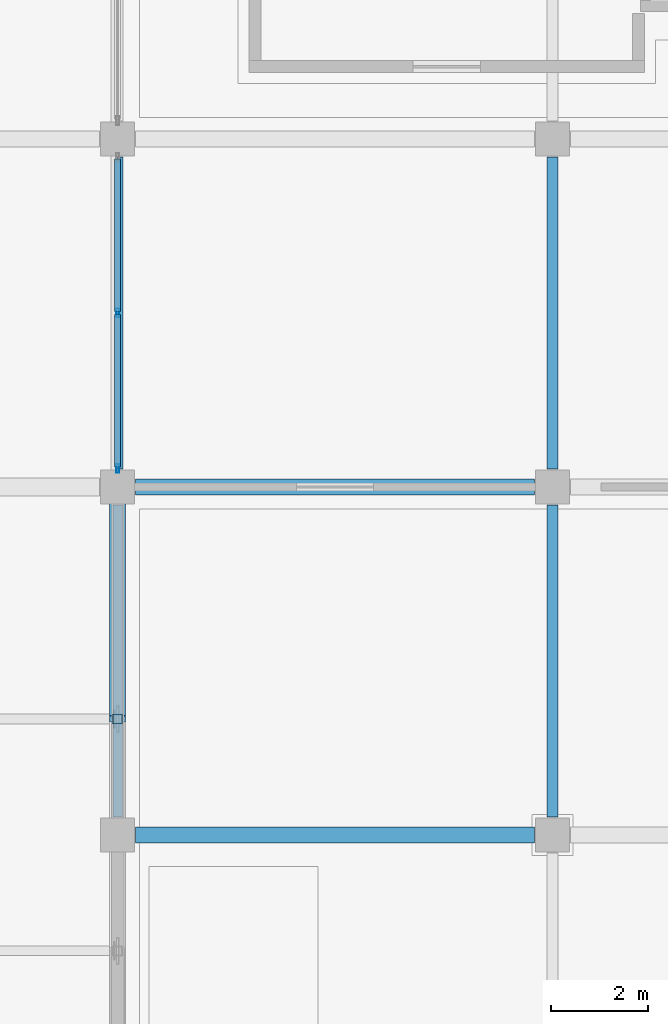
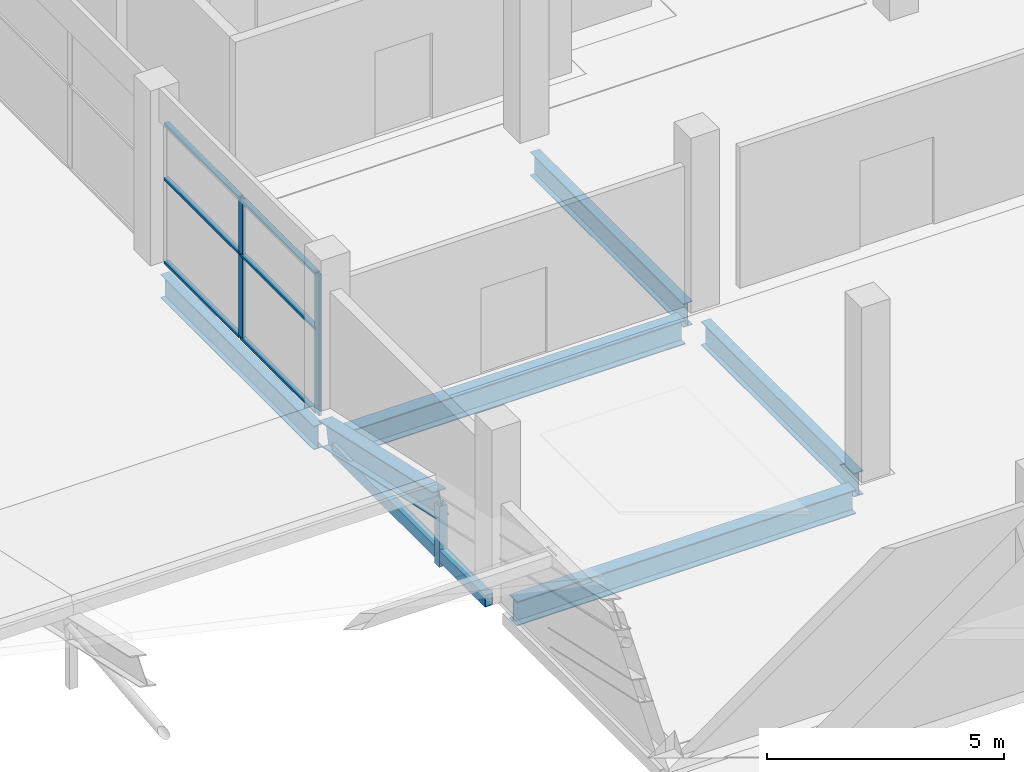
# One storey, part 67 of 151: 10 members, 6 beams, 1 element without a shape of its own.
"""IFC4 building model written with IfcOpenShell, lengths in metres."""

from ifc_helpers import new_model, si_unit, direction, frame, origin, origin_2d, place, context, subcontext, project, spatial, hollow_rectangle, i_section, extrude, material, layer, layer_set, material_profile, profile_set, type_object, element, aggregate, save


model = new_model("IFC4")

# Units and contexts
model_context = context("Model", 3, precision=1e-05, world=origin(), true_north=direction((0.0, 1.0)))
body_context = subcontext(model_context, "Body", "Model", "MODEL_VIEW")
ifc_project = project(units=[si_unit("LENGTHUNIT", "METRE"), si_unit("AREAUNIT", "SQUARE_METRE"), si_unit("VOLUMEUNIT", "CUBIC_METRE"), si_unit("PLANEANGLEUNIT", "RADIAN"), si_unit("MASSUNIT", "GRAM", prefix="KILO")], contexts=[model_context])

# Site, building, storey
site_placement = place(None, origin())
site = spatial("IfcSite", under=ifc_project, at=site_placement, CompositionType="ELEMENT")
building_placement = place(site_placement, origin())
building = spatial("IfcBuilding", under=site, at=building_placement, Name="Celestram Park Convention Centre", CompositionType="ELEMENT")
storey_placement = place(building_placement, frame((0.0, 0.0, 10.800048828125)))
storey = spatial("IfcBuildingStorey", under=building, at=storey_placement, Name="L02", CompositionType="ELEMENT", Elevation=10.800048828125)

# Curtain wall, members
ifc_material_1 = material(Name="Anodised Aluminium Alloy 6063-T6", Category="aluminium")
ifc_layer = layer(ifc_material_1, 0.179931640625)
ifc_layer_set = layer_set([ifc_layer], Name="Anodised Aluminium Alloy 6063-T6")
curtain_wall_type = type_object("IfcCurtainWallType", Name="ARC-CW-650X363", PredefinedType="NOTDEFINED", material=ifc_layer_set)
curtain_wall_placement = place(storey_placement, origin())
curtain_wall = element("IfcCurtainWall", 1, at=curtain_wall_placement, inside=storey, type_object=curtain_wall_type, Name="Unitised curtain wall CU-L02-146", PredefinedType="NOTDEFINED")
ifc_material_profile_1 = material_profile(ifc_material_1, hollow_rectangle(XDim=0.06494140625, YDim=0.179931640625, WallThickness=0.00390625, at=origin_2d()), Name="ALU65X180X4")
ifc_profile_set_1 = profile_set([ifc_material_profile_1], Name="Anodised Aluminium Alloy 6063-T6")
member_type_1 = type_object("IfcMemberType", Name="ARC-CWM-150", PredefinedType="MULLION", material=ifc_profile_set_1)
member_1_placement = place(storey_placement, frame((36.0, 137.180419921875, 0.0), z_axis=(0.0, 0.0, 1.0), x_axis=(-1.0, 0.0, 0.0)))
member_1 = element("IfcMember", 2, at=member_1_placement, type_object=member_type_1, Name="CW-65X36 mullion 1", PredefinedType="MULLION", context=body_context, shape_type="SweptSolid", body=[
    extrude(hollow_rectangle(XDim=0.06494140625, YDim=0.179931640625, WallThickness=0.00390625, at=origin_2d()), origin(), (0.0, 0.0, 1.0), 3.6279296875),
])
member_2_placement = place(storey_placement, frame((36.0, 140.39990234375, 0.0), z_axis=(0.0, 0.0, 1.0), x_axis=(-1.0, 0.0, 0.0)))
member_2 = element("IfcMember", 3, at=member_2_placement, type_object=member_type_1, Name="CW-65X36 mullion 2", PredefinedType="MULLION", context=body_context, shape_type="SweptSolid", body=[
    extrude(hollow_rectangle(XDim=0.06494140625, YDim=0.179931640625, WallThickness=0.00390625, at=origin_2d()), origin(), (0.0, 0.0, 1.0), 3.6279296875),
])
ifc_material_profile_2 = material_profile(ifc_material_1, hollow_rectangle(XDim=0.1201171875, YDim=0.06005859375, WallThickness=0.0029296875, at=origin_2d()), Name="ALU120X60X3")
ifc_profile_set_2 = profile_set([ifc_material_profile_2], Name="Anodised Aluminium Alloy 6063-T6")
member_type_2 = type_object("IfcMemberType", Name="ARC-CWT-120", PredefinedType="USERDEFINED", material=ifc_profile_set_2)
member_3_placement = place(storey_placement, frame((36.0, 137.212890625, 0.030029296875), z_axis=(0.0, 1.0, 0.0), x_axis=(-1.0, 0.0, 0.0)))
member_3 = element("IfcMember", 4, at=member_3_placement, type_object=member_type_2, Name="CW-65X36 transom 1.1", ObjectType="TRANSOM", PredefinedType="USERDEFINED", context=body_context, shape_type="SweptSolid", body=[
    extrude(hollow_rectangle(XDim=0.1201171875, YDim=0.06005859375, WallThickness=0.0029296875, at=origin_2d()), origin(), (0.0, 0.0, 1.0), 3.154541015625),
])
member_4_placement = place(storey_placement, frame((36.0, 137.212890625, 2.177001953125), z_axis=(0.0, 1.0, 0.0), x_axis=(-1.0, 0.0, 0.0)))
member_4 = element("IfcMember", 5, at=member_4_placement, type_object=member_type_2, Name="CW-65X36 transom 1.2", ObjectType="TRANSOM", PredefinedType="USERDEFINED", context=body_context, shape_type="SweptSolid", body=[
    extrude(hollow_rectangle(XDim=0.1201171875, YDim=0.06005859375, WallThickness=0.0029296875, at=origin_2d()), origin(), (0.0, 0.0, 1.0), 3.154541015625),
])
member_5_placement = place(storey_placement, frame((36.0, 137.212890625, 3.597900390625), z_axis=(0.0, 1.0, 0.0), x_axis=(-1.0, 0.0, 0.0)))
member_5 = element("IfcMember", 6, at=member_5_placement, type_object=member_type_2, Name="CW-65X36 transom 1.3", ObjectType="TRANSOM", PredefinedType="USERDEFINED", context=body_context, shape_type="SweptSolid", body=[
    extrude(hollow_rectangle(XDim=0.1201171875, YDim=0.06005859375, WallThickness=0.0029296875, at=origin_2d()), origin(), (0.0, 0.0, 1.0), 3.154541015625),
])
member_6_placement = place(storey_placement, frame((36.0, 140.4326171875, 0.030029296875), z_axis=(0.0, 1.0, 0.0), x_axis=(-1.0, 0.0, 0.0)))
member_6 = element("IfcMember", 7, at=member_6_placement, type_object=member_type_2, Name="CW-65X36 transom 2.1", ObjectType="TRANSOM", PredefinedType="USERDEFINED", context=body_context, shape_type="SweptSolid", body=[
    extrude(hollow_rectangle(XDim=0.1201171875, YDim=0.06005859375, WallThickness=0.0029296875, at=origin_2d()), origin(), (0.0, 0.0, 1.0), 3.154296875),
])
member_7_placement = place(storey_placement, frame((36.0, 140.4326171875, 2.177001953125), z_axis=(0.0, 1.0, 0.0), x_axis=(-1.0, 0.0, 0.0)))
member_7 = element("IfcMember", 8, at=member_7_placement, type_object=member_type_2, Name="CW-65X36 transom 2.2", ObjectType="TRANSOM", PredefinedType="USERDEFINED", context=body_context, shape_type="SweptSolid", body=[
    extrude(hollow_rectangle(XDim=0.1201171875, YDim=0.06005859375, WallThickness=0.0029296875, at=origin_2d()), origin(), (0.0, 0.0, 1.0), 3.154296875),
])
member_8_placement = place(storey_placement, frame((36.0, 140.4326171875, 3.597900390625), z_axis=(0.0, 1.0, 0.0), x_axis=(-1.0, 0.0, 0.0)))
member_8 = element("IfcMember", 9, at=member_8_placement, type_object=member_type_2, Name="CW-65X36 transom 2.3", ObjectType="TRANSOM", PredefinedType="USERDEFINED", context=body_context, shape_type="SweptSolid", body=[
    extrude(hollow_rectangle(XDim=0.1201171875, YDim=0.06005859375, WallThickness=0.0029296875, at=origin_2d()), origin(), (0.0, 0.0, 1.0), 3.154296875),
])
aggregate(curtain_wall, [member_1, member_2, member_3, member_4, member_5, member_6, member_7, member_8])

# Beams
ifc_material_2 = material(Name="Steel ASTM A992 Grade 50", Category="steel")
ifc_material_profile_3 = material_profile(ifc_material_2, i_section(OverallWidth=0.327880859375, OverallDepth=0.6220703125, WebThickness=0.015380859375, FlangeThickness=0.0244140625, at=origin_2d()), Name="W24X131")
ifc_profile_set_3 = profile_set([ifc_material_profile_3], Name="Steel ASTM A992 Grade 50")
beam_type_1 = type_object("IfcBeamType", Name="STR-BM-W24X131", PredefinedType="BEAM", material=ifc_profile_set_3)
for number, where, z_axis, x_axis, name in (
    (10, (36.373046875, 129.60009765625, -0.591064453125), (1.0, 0.0, 0.0), (0.0, 1.0, 0.0), "Primary X-girder BG-L02-0015"),
    (11, (36.373046875, 136.800048828125, -0.591064453125), (1.0, 0.0, 0.0), (0.0, 1.0, 0.0), "Primary X-girder BG-L02-0017"),
):
    element("IfcBeam", number, at=place(storey_placement, frame(where, z_axis=z_axis, x_axis=x_axis)), inside=storey, type_object=beam_type_1, Name=name, PredefinedType="BEAM", context=body_context, shape_type="SweptSolid", body=[
        extrude(i_section(OverallWidth=0.327880859375, OverallDepth=0.6220703125, WebThickness=0.015380859375, FlangeThickness=0.0244140625, at=origin_2d()), origin(), (0.0, 0.0, 1.0), 8.25390625),
    ])
ifc_material_profile_4 = material_profile(ifc_material_2, i_section(OverallWidth=0.22900390625, OverallDepth=0.612060546875, WebThickness=0.011962890625, FlangeThickness=0.01953125, at=origin_2d()), Name="W24X84")
ifc_profile_set_4 = profile_set([ifc_material_profile_4], Name="Steel ASTM A992 Grade 50")
beam_type_2 = type_object("IfcBeamType", Name="STR-BM-W24X84", PredefinedType="BEAM", material=ifc_profile_set_4)
beam_1_placement = place(storey_placement, frame((36.0, 137.173095703125, -0.5859375), z_axis=(0.0, 1.0, 0.0), x_axis=(-1.0, 0.0, 0.0)))
element("IfcBeam", 12, at=beam_1_placement, inside=storey, type_object=beam_type_2, Name="Primary Y-girder BG-L02-0018", PredefinedType="BEAM", context=body_context, shape_type="SweptSolid", body=[
    extrude(i_section(OverallWidth=0.22900390625, OverallDepth=0.612060546875, WebThickness=0.011962890625, FlangeThickness=0.01953125, at=origin_2d()), origin(), (0.0, 0.0, 1.0), 6.453857421875),
])
beam_2_placement = place(storey_placement, frame((45.0, 129.972900390625, -0.5859375), z_axis=(0.0, 1.0, 0.0), x_axis=(-1.0, 0.0, 0.0)))
element("IfcBeam", 13, at=beam_2_placement, inside=storey, type_object=beam_type_2, Name="Primary Y-girder BG-L02-0030", PredefinedType="BEAM", context=body_context, shape_type="SweptSolid", body=[
    extrude(i_section(OverallWidth=0.22900390625, OverallDepth=0.612060546875, WebThickness=0.011962890625, FlangeThickness=0.01953125, at=origin_2d()), origin(), (0.0, 0.0, 1.0), 6.4541015625),
])
beam_3_placement = place(storey_placement, frame((45.0, 137.173095703125, -0.5859375), z_axis=(0.0, 1.0, 0.0), x_axis=(-1.0, 0.0, 0.0)))
element("IfcBeam", 14, at=beam_3_placement, inside=storey, type_object=beam_type_2, Name="Primary Y-girder BG-L02-0032", PredefinedType="BEAM", context=body_context, shape_type="SweptSolid", body=[
    extrude(i_section(OverallWidth=0.22900390625, OverallDepth=0.612060546875, WebThickness=0.011962890625, FlangeThickness=0.01953125, at=origin_2d()), origin(), (0.0, 0.0, 1.0), 6.453857421875),
])

# Member
ifc_material_profile_5 = material_profile(ifc_material_2, i_section(OverallWidth=0.327880859375, OverallDepth=0.6220703125, WebThickness=0.015380859375, FlangeThickness=0.0244140625, at=origin_2d()), Name="W24X131")
ifc_profile_set_5 = profile_set([ifc_material_profile_5], Name="Steel ASTM A992 Grade 50")
member_type_3 = type_object("IfcMemberType", Name="STR-CHD-W24X131", PredefinedType="CHORD", material=ifc_profile_set_5)
member_9_placement = place(storey_placement, frame((36.0, 132.0, 0.83056640625), z_axis=(0.0, 0.976188228429, -0.216925200651), x_axis=(-1.0, 0.0, 0.0)))
element("IfcMember", 15, at=member_9_placement, inside=storey, type_object=member_type_3, Name="WPV arch top chord", PredefinedType="CHORD", context=body_context, shape_type="SweptSolid", body=[
    extrude(i_section(OverallWidth=0.327880859375, OverallDepth=0.6220703125, WebThickness=0.015380859375, FlangeThickness=0.0244140625, at=origin_2d()), origin(), (0.0, 0.0, 1.0), 4.917236328125),
])

# Beam
ifc_material_3 = material(Name="Steel ASTM A500 Grade C", Category="steel")
ifc_material_profile_6 = material_profile(ifc_material_3, hollow_rectangle(XDim=0.199951171875, YDim=0.300048828125, WallThickness=0.011962890625, at=origin_2d()), Name="HSS300X200X12")
ifc_profile_set_6 = profile_set([ifc_material_profile_6], Name="Steel ASTM A500 Grade C")
beam_type_3 = type_object("IfcBeamType", Name="STR-SPN-HSS300X200", PredefinedType="SPANDREL", material=ifc_profile_set_6)
beam_4_placement = place(storey_placement, frame((36.0, 129.972900390625, -0.429931640625), z_axis=(0.0, 1.0, 0.0), x_axis=(-1.0, 0.0, 0.0)))
element("IfcBeam", 16, at=beam_4_placement, inside=storey, type_object=beam_type_3, Name="Primary Y-girder BG-L02-0016", PredefinedType="SPANDREL", context=body_context, shape_type="SweptSolid", body=[
    extrude(hollow_rectangle(XDim=0.199951171875, YDim=0.300048828125, WallThickness=0.011962890625, at=origin_2d()), origin(), (0.0, 0.0, 1.0), 6.4541015625),
])

# Member
ifc_material_profile_7 = material_profile(ifc_material_3, hollow_rectangle(XDim=0.199951171875, YDim=0.199951171875, WallThickness=0.010009765625, at=origin_2d()), Name="HSS200X200X10")
ifc_profile_set_7 = profile_set([ifc_material_profile_7], Name="Steel ASTM A500 Grade C")
member_type_4 = type_object("IfcMemberType", Name="STR-STR-HSS200", PredefinedType="STRUT", material=ifc_profile_set_7)
member_10_placement = place(storey_placement, frame((36.0, 132.0, -0.71923828125), z_axis=(0.0, 0.0, 1.0), x_axis=(1.0, 0.0, 0.0)))
element("IfcMember", 17, at=member_10_placement, inside=storey, type_object=member_type_4, Name="WPV arch vertical strut", PredefinedType="STRUT", context=body_context, shape_type="SweptSolid", body=[
    extrude(hollow_rectangle(XDim=0.199951171875, YDim=0.199951171875, WallThickness=0.010009765625, at=origin_2d()), origin(), (0.0, 0.0, 1.0), 1.5498046875),
])

save(model, "model.ifc")
